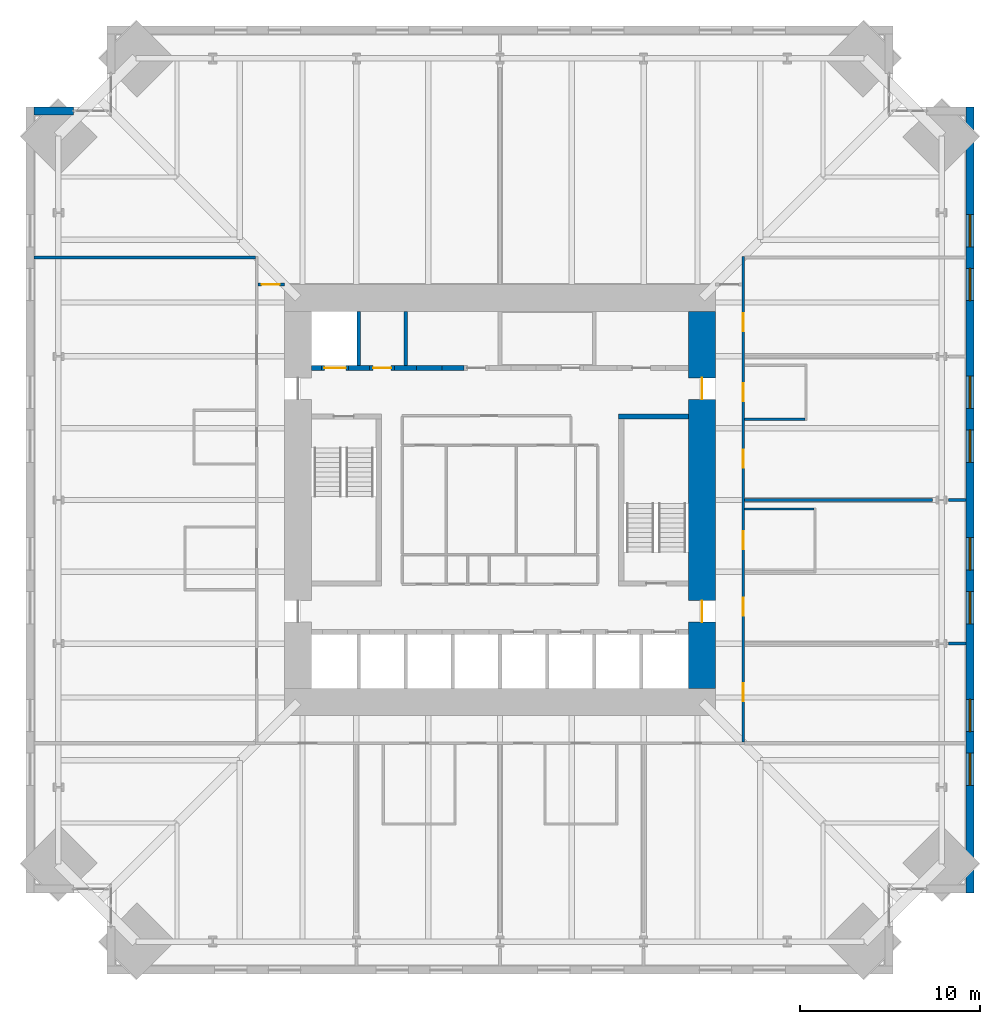
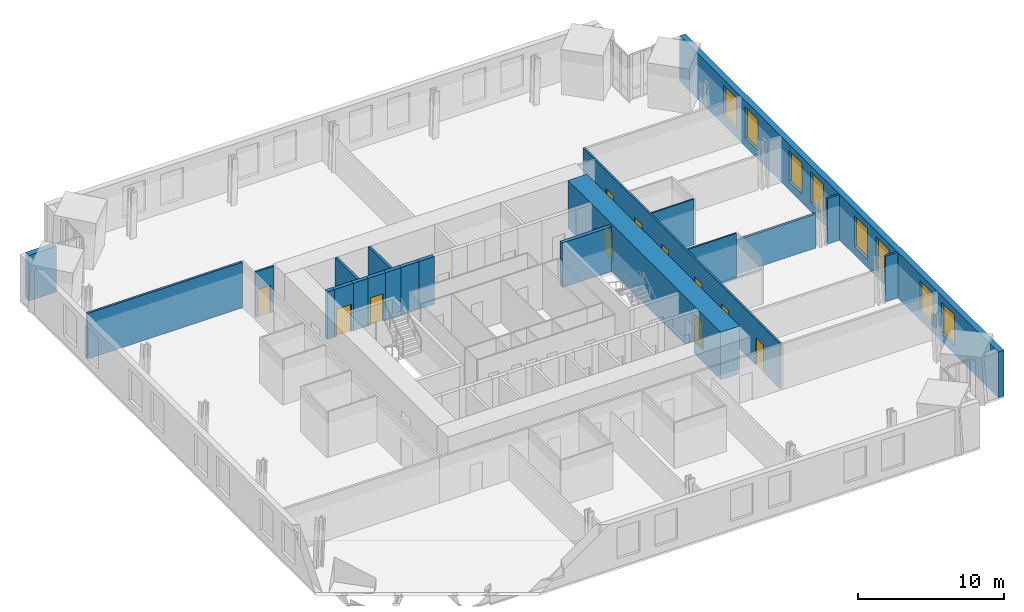
# One storey, part 16 of 18: 21 walls, 11 doors, 8 windows, 19 openings.
"""IFC4 building model written with IfcOpenShell, lengths in metres."""

from ifc_helpers import new_model, si_unit, direction, frame, frame_2d, origin, place, context, subcontext, project, spatial, rectangle, extrude, material, layer, layer_set, type_object, element, fill, save


model = new_model("IFC4")

# Units and contexts
model_context = context("Model", 3, precision=1e-05, world=origin(), true_north=direction((0.0, 1.0)))
body_context = subcontext(model_context, "Body", "Model", "MODEL_VIEW")
ifc_project = project(units=[si_unit("LENGTHUNIT", "METRE"), si_unit("AREAUNIT", "SQUARE_METRE"), si_unit("VOLUMEUNIT", "CUBIC_METRE"), si_unit("PLANEANGLEUNIT", "RADIAN"), si_unit("MASSUNIT", "GRAM", prefix="KILO")], contexts=[model_context])

# Site, building, storey
site_placement = place(None, origin())
site = spatial("IfcSite", under=ifc_project, at=site_placement, CompositionType="ELEMENT")
building_placement = place(site_placement, origin())
building = spatial("IfcBuilding", under=site, at=building_placement, Name="Peilmerk Tower", CompositionType="ELEMENT")
storey_placement = place(building_placement, frame((0.0, 0.0, 155.800048828125)))
storey = spatial("IfcBuildingStorey", under=building, at=storey_placement, Name="L32", CompositionType="ELEMENT", Elevation=155.800048828125)

# Wall, openings, windows
ifc_material_1 = material(Name="Precast concrete C45/55, board-marked finish", Category="concrete")
ifc_layer_1 = layer(ifc_material_1, 0.449951171875)
ifc_layer_set_1 = layer_set([ifc_layer_1], Name="Precast concrete C45/55, board-marked finish")
wall_type_1 = type_object("IfcWallType", Name="EW1 450 precast concrete facade wall, board-marked", PredefinedType="SOLIDWALL", material=ifc_layer_set_1)
wall_1_placement = place(storey_placement, frame((26.175048828125, -21.89990234375, 0.0), z_axis=(0.0, 0.0, 1.0), x_axis=(0.0, 1.0, 0.0)))
wall_1 = element("IfcWall", 1, at=wall_1_placement, inside=storey, type_object=wall_type_1, Name="Facade wall E L32", PredefinedType="SOLIDWALL", context=body_context, shape_type="SweptSolid", body=[
    extrude(rectangle(XDim=43.7998046875, YDim=0.449951171875, at=frame_2d((21.89990234375, 0.0))), origin(), (0.0, 0.0, 1.0), 3.829833984375),
])
opening_1_placement = place(wall_1_placement, frame((6.0, 0.0, 0.699951171875)))
opening_1 = element("IfcOpeningElement", 2, at=opening_1_placement, cuts=wall_1, Name="Opening W1", PredefinedType="OPENING", context=body_context, shape_type="SweptSolid", body=[
    extrude(rectangle(XDim=1.800048828125, YDim=2.60009765625, at=frame_2d((0.89990234375, 1.300048828125))), frame((0.0, 0.23486328125, 0.0), z_axis=(0.0, -1.0, 0.0), x_axis=(1.0, 0.0, 0.0)), (0.0, 0.0, 1.0), 0.469970703125),
])
opening_2_placement = place(wall_1_placement, frame((9.0, 0.0, 0.699951171875)))
opening_2 = element("IfcOpeningElement", 3, at=opening_2_placement, cuts=wall_1, Name="Opening W1", PredefinedType="OPENING", context=body_context, shape_type="SweptSolid", body=[
    extrude(rectangle(XDim=1.800048828125, YDim=2.60009765625, at=frame_2d((0.89990234375, 1.300048828125))), frame((0.0, 0.23486328125, 0.0), z_axis=(0.0, -1.0, 0.0), x_axis=(1.0, 0.0, 0.0)), (0.0, 0.0, 1.0), 0.469970703125),
])
opening_3_placement = place(wall_1_placement, frame((15.0, 0.0, 0.699951171875)))
opening_3 = element("IfcOpeningElement", 4, at=opening_3_placement, cuts=wall_1, Name="Opening W1", PredefinedType="OPENING", context=body_context, shape_type="SweptSolid", body=[
    extrude(rectangle(XDim=1.800048828125, YDim=2.60009765625, at=frame_2d((0.89990234375, 1.300048828125))), frame((0.0, 0.23486328125, 0.0), z_axis=(0.0, -1.0, 0.0), x_axis=(1.0, 0.0, 0.0)), (0.0, 0.0, 1.0), 0.469970703125),
])
opening_4_placement = place(wall_1_placement, frame((18.0, 0.0, 0.699951171875)))
opening_4 = element("IfcOpeningElement", 5, at=opening_4_placement, cuts=wall_1, Name="Opening W1", PredefinedType="OPENING", context=body_context, shape_type="SweptSolid", body=[
    extrude(rectangle(XDim=1.800048828125, YDim=2.60009765625, at=frame_2d((0.89990234375, 1.300048828125))), frame((0.0, 0.23486328125, 0.0), z_axis=(0.0, -1.0, 0.0), x_axis=(1.0, 0.0, 0.0)), (0.0, 0.0, 1.0), 0.469970703125),
])
opening_5_placement = place(wall_1_placement, frame((24.0, 0.0, 0.699951171875)))
opening_5 = element("IfcOpeningElement", 6, at=opening_5_placement, cuts=wall_1, Name="Opening W1", PredefinedType="OPENING", context=body_context, shape_type="SweptSolid", body=[
    extrude(rectangle(XDim=1.800048828125, YDim=2.60009765625, at=frame_2d((0.89990234375, 1.300048828125))), frame((0.0, 0.23486328125, 0.0), z_axis=(0.0, -1.0, 0.0), x_axis=(1.0, 0.0, 0.0)), (0.0, 0.0, 1.0), 0.469970703125),
])
opening_6_placement = place(wall_1_placement, frame((27.0, 0.0, 0.699951171875)))
opening_6 = element("IfcOpeningElement", 7, at=opening_6_placement, cuts=wall_1, Name="Opening W1", PredefinedType="OPENING", context=body_context, shape_type="SweptSolid", body=[
    extrude(rectangle(XDim=1.800048828125, YDim=2.60009765625, at=frame_2d((0.89990234375, 1.300048828125))), frame((0.0, 0.23486328125, 0.0), z_axis=(0.0, -1.0, 0.0), x_axis=(1.0, 0.0, 0.0)), (0.0, 0.0, 1.0), 0.469970703125),
])
opening_7_placement = place(wall_1_placement, frame((33.0, 0.0, 0.699951171875)))
opening_7 = element("IfcOpeningElement", 8, at=opening_7_placement, cuts=wall_1, Name="Opening W1", PredefinedType="OPENING", context=body_context, shape_type="SweptSolid", body=[
    extrude(rectangle(XDim=1.800048828125, YDim=2.60009765625, at=frame_2d((0.89990234375, 1.300048828125))), frame((0.0, 0.23486328125, 0.0), z_axis=(0.0, -1.0, 0.0), x_axis=(1.0, 0.0, 0.0)), (0.0, 0.0, 1.0), 0.469970703125),
])
opening_8_placement = place(wall_1_placement, frame((36.0, 0.0, 0.699951171875)))
opening_8 = element("IfcOpeningElement", 9, at=opening_8_placement, cuts=wall_1, Name="Opening W1", PredefinedType="OPENING", context=body_context, shape_type="SweptSolid", body=[
    extrude(rectangle(XDim=1.800048828125, YDim=2.60009765625, at=frame_2d((0.89990234375, 1.300048828125))), frame((0.0, 0.23486328125, 0.0), z_axis=(0.0, -1.0, 0.0), x_axis=(1.0, 0.0, 0.0)), (0.0, 0.0, 1.0), 0.469970703125),
])
ifc_material_2 = material(Name="Aluminium frame, clear double glazing", Category="aluminium")
window_type = type_object("IfcWindowType", Name="W1 1800x2600 office window", PartitioningType="SINGLE_PANEL", PredefinedType="WINDOW", material=ifc_material_2)
window_1_placement = place(opening_1_placement, origin())
window_1 = element("IfcWindow", 10, at=window_1_placement, inside=storey, type_object=window_type, Name="Window W1 L32", OverallHeight=2.60009765625, OverallWidth=1.800048828125, PartitioningType="SINGLE_PANEL", PredefinedType="WINDOW", context=body_context, shape_type="SweptSolid", body=[
    extrude(rectangle(XDim=1.800048828125, YDim=2.60009765625, at=frame_2d((0.89990234375, 1.300048828125))), frame((0.0, 0.030029296875, 0.0), z_axis=(0.0, -1.0, 0.0), x_axis=(1.0, 0.0, 0.0)), (0.0, 0.0, 1.0), 0.06005859375),
])
fill(opening_1, window_1)
window_2_placement = place(opening_2_placement, origin())
window_2 = element("IfcWindow", 11, at=window_2_placement, inside=storey, type_object=window_type, Name="Window W1 L32", OverallHeight=2.60009765625, OverallWidth=1.800048828125, PartitioningType="SINGLE_PANEL", PredefinedType="WINDOW", context=body_context, shape_type="SweptSolid", body=[
    extrude(rectangle(XDim=1.800048828125, YDim=2.60009765625, at=frame_2d((0.89990234375, 1.300048828125))), frame((0.0, 0.030029296875, 0.0), z_axis=(0.0, -1.0, 0.0), x_axis=(1.0, 0.0, 0.0)), (0.0, 0.0, 1.0), 0.06005859375),
])
fill(opening_2, window_2)
window_3_placement = place(opening_3_placement, origin())
window_3 = element("IfcWindow", 12, at=window_3_placement, inside=storey, type_object=window_type, Name="Window W1 L32", OverallHeight=2.60009765625, OverallWidth=1.800048828125, PartitioningType="SINGLE_PANEL", PredefinedType="WINDOW", context=body_context, shape_type="SweptSolid", body=[
    extrude(rectangle(XDim=1.800048828125, YDim=2.60009765625, at=frame_2d((0.89990234375, 1.300048828125))), frame((0.0, 0.030029296875, 0.0), z_axis=(0.0, -1.0, 0.0), x_axis=(1.0, 0.0, 0.0)), (0.0, 0.0, 1.0), 0.06005859375),
])
fill(opening_3, window_3)
window_4_placement = place(opening_4_placement, origin())
window_4 = element("IfcWindow", 13, at=window_4_placement, inside=storey, type_object=window_type, Name="Window W1 L32", OverallHeight=2.60009765625, OverallWidth=1.800048828125, PartitioningType="SINGLE_PANEL", PredefinedType="WINDOW", context=body_context, shape_type="SweptSolid", body=[
    extrude(rectangle(XDim=1.800048828125, YDim=2.60009765625, at=frame_2d((0.89990234375, 1.300048828125))), frame((0.0, 0.030029296875, 0.0), z_axis=(0.0, -1.0, 0.0), x_axis=(1.0, 0.0, 0.0)), (0.0, 0.0, 1.0), 0.06005859375),
])
fill(opening_4, window_4)
window_5_placement = place(opening_5_placement, origin())
window_5 = element("IfcWindow", 14, at=window_5_placement, inside=storey, type_object=window_type, Name="Window W1 L32", OverallHeight=2.60009765625, OverallWidth=1.800048828125, PartitioningType="SINGLE_PANEL", PredefinedType="WINDOW", context=body_context, shape_type="SweptSolid", body=[
    extrude(rectangle(XDim=1.800048828125, YDim=2.60009765625, at=frame_2d((0.89990234375, 1.300048828125))), frame((0.0, 0.030029296875, 0.0), z_axis=(0.0, -1.0, 0.0), x_axis=(1.0, 0.0, 0.0)), (0.0, 0.0, 1.0), 0.06005859375),
])
fill(opening_5, window_5)
window_6_placement = place(opening_6_placement, origin())
window_6 = element("IfcWindow", 15, at=window_6_placement, inside=storey, type_object=window_type, Name="Window W1 L32", OverallHeight=2.60009765625, OverallWidth=1.800048828125, PartitioningType="SINGLE_PANEL", PredefinedType="WINDOW", context=body_context, shape_type="SweptSolid", body=[
    extrude(rectangle(XDim=1.800048828125, YDim=2.60009765625, at=frame_2d((0.89990234375, 1.300048828125))), frame((0.0, 0.030029296875, 0.0), z_axis=(0.0, -1.0, 0.0), x_axis=(1.0, 0.0, 0.0)), (0.0, 0.0, 1.0), 0.06005859375),
])
fill(opening_6, window_6)
window_7_placement = place(opening_7_placement, origin())
window_7 = element("IfcWindow", 16, at=window_7_placement, inside=storey, type_object=window_type, Name="Window W1 L32", OverallHeight=2.60009765625, OverallWidth=1.800048828125, PartitioningType="SINGLE_PANEL", PredefinedType="WINDOW", context=body_context, shape_type="SweptSolid", body=[
    extrude(rectangle(XDim=1.800048828125, YDim=2.60009765625, at=frame_2d((0.89990234375, 1.300048828125))), frame((0.0, 0.030029296875, 0.0), z_axis=(0.0, -1.0, 0.0), x_axis=(1.0, 0.0, 0.0)), (0.0, 0.0, 1.0), 0.06005859375),
])
fill(opening_7, window_7)
window_8_placement = place(opening_8_placement, origin())
window_8 = element("IfcWindow", 17, at=window_8_placement, inside=storey, type_object=window_type, Name="Window W1 L32", OverallHeight=2.60009765625, OverallWidth=1.800048828125, PartitioningType="SINGLE_PANEL", PredefinedType="WINDOW", context=body_context, shape_type="SweptSolid", body=[
    extrude(rectangle(XDim=1.800048828125, YDim=2.60009765625, at=frame_2d((0.89990234375, 1.300048828125))), frame((0.0, 0.030029296875, 0.0), z_axis=(0.0, -1.0, 0.0), x_axis=(1.0, 0.0, 0.0)), (0.0, 0.0, 1.0), 0.06005859375),
])
fill(opening_8, window_8)

# Wall
wall_2_placement = place(storey_placement, frame((-23.753662109375, 21.675048828125, 0.0), z_axis=(0.0, 0.0, 1.0), x_axis=(-1.0, 0.0, 0.0)))
element("IfcWall", 18, at=wall_2_placement, inside=storey, type_object=wall_type_1, Name="Facade wall NWB L32", PredefinedType="SOLIDWALL", context=body_context, shape_type="SweptSolid", body=[
    extrude(rectangle(XDim=2.1962890625, YDim=0.449951171875, at=frame_2d((1.09814453125, 0.0))), origin(), (0.0, 0.0, 1.0), 3.829833984375),
])

# Wall, openings, doors
ifc_material_3 = material(Name="Calcium silicate block", Category="masonry")
ifc_layer_2 = layer(ifc_material_3, 0.14990234375)
ifc_layer_set_2 = layer_set([ifc_layer_2], Name="Calcium silicate block")
wall_type_2 = type_object("IfcWallType", Name="IW1 150 corridor partition, EI 60", PredefinedType="PARTITIONING", material=ifc_layer_set_2)
wall_3_placement = place(storey_placement, frame((13.550048828125, -13.47509765625, 0.0), z_axis=(0.0, 0.0, 1.0), x_axis=(0.0, 1.0, 0.0)))
wall_3 = element("IfcWall", 19, at=wall_3_placement, inside=storey, type_object=wall_type_2, Name="Corridor wall E L32", PredefinedType="PARTITIONING", context=body_context, shape_type="SweptSolid", body=[
    extrude(rectangle(XDim=27.050048828125, YDim=0.14990234375, at=frame_2d((13.52490234375, 0.0))), origin(), (0.0, 0.0, 1.0), 3.829833984375),
])
opening_9_placement = place(wall_3_placement, frame((2.27490234375, 0.0, 0.0)))
opening_9 = element("IfcOpeningElement", 20, at=opening_9_placement, cuts=wall_3, Name="Opening D1", PredefinedType="OPENING", context=body_context, shape_type="SweptSolid", body=[
    extrude(rectangle(XDim=1.0, YDim=2.300048828125, at=frame_2d((0.5, 1.14990234375))), frame((0.0, 0.0849609375, 0.0), z_axis=(0.0, -1.0, 0.0), x_axis=(1.0, 0.0, 0.0)), (0.0, 0.0, 1.0), 0.169921875),
])
opening_10_placement = place(wall_3_placement, frame((7.02490234375, 0.0, 0.0)))
opening_10 = element("IfcOpeningElement", 21, at=opening_10_placement, cuts=wall_3, Name="Opening D1", PredefinedType="OPENING", context=body_context, shape_type="SweptSolid", body=[
    extrude(rectangle(XDim=1.0, YDim=2.300048828125, at=frame_2d((0.5, 1.14990234375))), frame((0.0, 0.0849609375, 0.0), z_axis=(0.0, -1.0, 0.0), x_axis=(1.0, 0.0, 0.0)), (0.0, 0.0, 1.0), 0.169921875),
])
opening_11_placement = place(wall_3_placement, frame((15.27490234375, 0.0, 0.0)))
opening_11 = element("IfcOpeningElement", 22, at=opening_11_placement, cuts=wall_3, Name="Opening D1", PredefinedType="OPENING", context=body_context, shape_type="SweptSolid", body=[
    extrude(rectangle(XDim=1.0, YDim=2.300048828125, at=frame_2d((0.5, 1.14990234375))), frame((0.0, 0.0849609375, 0.0), z_axis=(0.0, -1.0, 0.0), x_axis=(1.0, 0.0, 0.0)), (0.0, 0.0, 1.0), 0.169921875),
])
opening_12_placement = place(wall_3_placement, frame((22.875, 0.0, 0.0)))
opening_12 = element("IfcOpeningElement", 23, at=opening_12_placement, cuts=wall_3, Name="Opening D1", PredefinedType="OPENING", context=body_context, shape_type="SweptSolid", body=[
    extrude(rectangle(XDim=1.0, YDim=2.300048828125, at=frame_2d((0.5, 1.14990234375))), frame((0.0, 0.0849609375, 0.0), z_axis=(0.0, -1.0, 0.0), x_axis=(1.0, 0.0, 0.0)), (0.0, 0.0, 1.0), 0.169921875),
])
opening_13_placement = place(wall_3_placement, frame((18.97509765625, 0.0, 0.0)))
opening_13 = element("IfcOpeningElement", 24, at=opening_13_placement, cuts=wall_3, Name="Opening D1", PredefinedType="OPENING", context=body_context, shape_type="SweptSolid", body=[
    extrude(rectangle(XDim=1.0, YDim=2.300048828125, at=frame_2d((0.5, 1.14990234375))), frame((0.0, 0.0849609375, 0.0), z_axis=(0.0, -1.0, 0.0), x_axis=(1.0, 0.0, 0.0)), (0.0, 0.0, 1.0), 0.169921875),
])
opening_14_placement = place(wall_3_placement, frame((10.72509765625, 0.0, 0.0)))
opening_14 = element("IfcOpeningElement", 25, at=opening_14_placement, cuts=wall_3, Name="Opening D1", PredefinedType="OPENING", context=body_context, shape_type="SweptSolid", body=[
    extrude(rectangle(XDim=1.0, YDim=2.300048828125, at=frame_2d((0.5, 1.14990234375))), frame((0.0, 0.0849609375, 0.0), z_axis=(0.0, -1.0, 0.0), x_axis=(1.0, 0.0, 0.0)), (0.0, 0.0, 1.0), 0.169921875),
])
ifc_material_4 = material(Name="Timber door in steel frame", Category="steel")
door_type_1 = type_object("IfcDoorType", Name="D1 1000x2300 room door, EI2 30", OperationType="SINGLE_SWING_LEFT", PredefinedType="DOOR", material=ifc_material_4)
door_1_placement = place(opening_9_placement, frame((1.0, 0.0, 0.0), z_axis=(0.0, 0.0, 1.0), x_axis=(-1.0, 0.0, 0.0)))
door_1 = element("IfcDoor", 26, at=door_1_placement, inside=storey, type_object=door_type_1, Name="Door Quiet room L32", OperationType="SINGLE_SWING_LEFT", OverallHeight=2.300048828125, OverallWidth=1.0, PredefinedType="DOOR", context=body_context, shape_type="SweptSolid", body=[
    extrude(rectangle(XDim=1.0, YDim=2.300048828125, at=frame_2d((0.5, 1.14990234375))), frame((0.0, 0.02490234375, 0.0), z_axis=(0.0, -1.0, 0.0), x_axis=(1.0, 0.0, 0.0)), (0.0, 0.0, 1.0), 0.050048828125),
])
fill(opening_9, door_1)
door_2_placement = place(opening_10_placement, frame((1.0, 0.0, 0.0), z_axis=(0.0, 0.0, 1.0), x_axis=(-1.0, 0.0, 0.0)))
door_2 = element("IfcDoor", 27, at=door_2_placement, inside=storey, type_object=door_type_1, Name="Door Office L32", OperationType="SINGLE_SWING_LEFT", OverallHeight=2.300048828125, OverallWidth=1.0, PredefinedType="DOOR", context=body_context, shape_type="SweptSolid", body=[
    extrude(rectangle(XDim=1.0, YDim=2.300048828125, at=frame_2d((0.5, 1.14990234375))), frame((0.0, 0.02490234375, 0.0), z_axis=(0.0, -1.0, 0.0), x_axis=(1.0, 0.0, 0.0)), (0.0, 0.0, 1.0), 0.050048828125),
])
fill(opening_10, door_2)
door_3_placement = place(opening_11_placement, frame((1.0, 0.0, 0.0), z_axis=(0.0, 0.0, 1.0), x_axis=(-1.0, 0.0, 0.0)))
door_3 = element("IfcDoor", 28, at=door_3_placement, inside=storey, type_object=door_type_1, Name="Door Office L32", OperationType="SINGLE_SWING_LEFT", OverallHeight=2.300048828125, OverallWidth=1.0, PredefinedType="DOOR", context=body_context, shape_type="SweptSolid", body=[
    extrude(rectangle(XDim=1.0, YDim=2.300048828125, at=frame_2d((0.5, 1.14990234375))), frame((0.0, 0.02490234375, 0.0), z_axis=(0.0, -1.0, 0.0), x_axis=(1.0, 0.0, 0.0)), (0.0, 0.0, 1.0), 0.050048828125),
])
fill(opening_11, door_3)
door_4_placement = place(opening_12_placement, frame((1.0, 0.0, 0.0), z_axis=(0.0, 0.0, 1.0), x_axis=(-1.0, 0.0, 0.0)))
door_4 = element("IfcDoor", 29, at=door_4_placement, inside=storey, type_object=door_type_1, Name="Door Wellness room L32", OperationType="SINGLE_SWING_LEFT", OverallHeight=2.300048828125, OverallWidth=1.0, PredefinedType="DOOR", context=body_context, shape_type="SweptSolid", body=[
    extrude(rectangle(XDim=1.0, YDim=2.300048828125, at=frame_2d((0.5, 1.14990234375))), frame((0.0, 0.02490234375, 0.0), z_axis=(0.0, -1.0, 0.0), x_axis=(1.0, 0.0, 0.0)), (0.0, 0.0, 1.0), 0.050048828125),
])
fill(opening_12, door_4)
door_5_placement = place(opening_13_placement, frame((1.0, 0.0, 0.0), z_axis=(0.0, 0.0, 1.0), x_axis=(-1.0, 0.0, 0.0)))
door_5 = element("IfcDoor", 30, at=door_5_placement, inside=storey, type_object=door_type_1, Name="Door Focus room L32", OperationType="SINGLE_SWING_LEFT", OverallHeight=2.300048828125, OverallWidth=1.0, PredefinedType="DOOR", context=body_context, shape_type="SweptSolid", body=[
    extrude(rectangle(XDim=1.0, YDim=2.300048828125, at=frame_2d((0.5, 1.14990234375))), frame((0.0, 0.02490234375, 0.0), z_axis=(0.0, -1.0, 0.0), x_axis=(1.0, 0.0, 0.0)), (0.0, 0.0, 1.0), 0.050048828125),
])
fill(opening_13, door_5)
door_6_placement = place(opening_14_placement, frame((1.0, 0.0, 0.0), z_axis=(0.0, 0.0, 1.0), x_axis=(-1.0, 0.0, 0.0)))
door_6 = element("IfcDoor", 31, at=door_6_placement, inside=storey, type_object=door_type_1, Name="Door Meeting room L32", OperationType="SINGLE_SWING_LEFT", OverallHeight=2.300048828125, OverallWidth=1.0, PredefinedType="DOOR", context=body_context, shape_type="SweptSolid", body=[
    extrude(rectangle(XDim=1.0, YDim=2.300048828125, at=frame_2d((0.5, 1.14990234375))), frame((0.0, 0.02490234375, 0.0), z_axis=(0.0, -1.0, 0.0), x_axis=(1.0, 0.0, 0.0)), (0.0, 0.0, 1.0), 0.050048828125),
])
fill(opening_14, door_6)

# Wall, opening, door
wall_4_placement = place(storey_placement, frame((-13.47509765625, 12.0, 0.0), z_axis=(0.0, 0.0, 1.0), x_axis=(1.0, 0.0, 0.0)))
wall_4 = element("IfcWall", 32, at=wall_4_placement, inside=storey, type_object=wall_type_2, Name="Corridor wall NW L32", PredefinedType="PARTITIONING", context=body_context, shape_type="SweptSolid", body=[
    extrude(rectangle(XDim=1.47509765625, YDim=0.14990234375, at=frame_2d((0.737548828125, 0.0))), origin(), (0.0, 0.0, 1.0), 3.829833984375),
])
opening_15_placement = place(wall_4_placement, frame((0.199951171875, 0.0, 0.0)))
opening_15 = element("IfcOpeningElement", 33, at=opening_15_placement, cuts=wall_4, Name="Opening D1", PredefinedType="OPENING", context=body_context, shape_type="SweptSolid", body=[
    extrude(rectangle(XDim=1.0, YDim=2.300048828125, at=frame_2d((0.5, 1.14990234375))), frame((0.0, 0.0849609375, 0.0), z_axis=(0.0, -1.0, 0.0), x_axis=(1.0, 0.0, 0.0)), (0.0, 0.0, 1.0), 0.169921875),
])
door_7_placement = place(opening_15_placement, origin())
door_7 = element("IfcDoor", 34, at=door_7_placement, inside=storey, type_object=door_type_1, Name="Door Open workspace L32", OperationType="SINGLE_SWING_LEFT", OverallHeight=2.300048828125, OverallWidth=1.0, PredefinedType="DOOR", context=body_context, shape_type="SweptSolid", body=[
    extrude(rectangle(XDim=1.0, YDim=2.300048828125, at=frame_2d((0.5, 1.14990234375))), frame((0.0, 0.02490234375, 0.0), z_axis=(0.0, -1.0, 0.0), x_axis=(1.0, 0.0, 0.0)), (0.0, 0.0, 1.0), 0.050048828125),
])
fill(opening_15, door_7)

# Walls
ifc_material_5 = material(Name="Concrete C35/45", Category="concrete")
ifc_layer_3 = layer(ifc_material_5, 0.300048828125)
ifc_layer_set_3 = layer_set([ifc_layer_3], Name="Concrete C35/45")
wall_type_3 = type_object("IfcWallType", Name="IW3 300 concrete stair enclosure wall, EI 120", PredefinedType="SOLIDWALL", material=ifc_layer_set_3)
wall_5_placement = place(storey_placement, frame((6.60009765625, 4.64990234375, 0.0), z_axis=(0.0, 0.0, 1.0), x_axis=(1.0, 0.0, 0.0)))
element("IfcWall", 35, at=wall_5_placement, inside=storey, type_object=wall_type_3, Name="Stair 2 enclosure L32", PredefinedType="SOLIDWALL", context=body_context, shape_type="SweptSolid", body=[
    extrude(rectangle(XDim=3.89990234375, YDim=0.300048828125, at=frame_2d((1.949951171875, 0.0))), origin(), (0.0, 0.0, 1.0), 3.75),
])
ifc_material_6 = material(Name="Plasterboard on steel studs, double boarded with mineral wool", Category="steel")
ifc_layer_4 = layer(ifc_material_6, 0.125)
ifc_layer_set_4 = layer_set([ifc_layer_4], Name="Plasterboard on steel studs, double boarded with mineral wool")
wall_type_4 = type_object("IfcWallType", Name="IW7 125 acoustic partition, EI 30", PredefinedType="PARTITIONING", material=ifc_layer_set_4)
wall_6_placement = place(storey_placement, frame((13.625, 4.5, 0.0), z_axis=(0.0, 0.0, 1.0), x_axis=(1.0, 0.0, 0.0)))
element("IfcWall", 36, at=wall_6_placement, inside=storey, type_object=wall_type_4, Name="Acoustic partition Focus room L32", PredefinedType="PARTITIONING", context=body_context, shape_type="SweptSolid", body=[
    extrude(rectangle(XDim=3.362548828125, YDim=0.125, at=frame_2d((1.68115234375, 0.0))), origin(), (0.0, 0.0, 1.0), 3.829833984375),
])
wall_7_placement = place(storey_placement, frame((13.625, -0.5, 0.0), z_axis=(0.0, 0.0, 1.0), x_axis=(1.0, 0.0, 0.0)))
element("IfcWall", 37, at=wall_7_placement, inside=storey, type_object=wall_type_4, Name="Acoustic partition Meeting room L32", PredefinedType="PARTITIONING", context=body_context, shape_type="SweptSolid", body=[
    extrude(rectangle(XDim=3.862548828125, YDim=0.125, at=frame_2d((1.93115234375, 0.0))), origin(), (0.0, 0.0, 1.0), 3.829833984375),
])
ifc_layer_5 = layer(ifc_material_3, 0.175048828125)
ifc_layer_set_5 = layer_set([ifc_layer_5], Name="Calcium silicate block")
wall_type_5 = type_object("IfcWallType", Name="IW8 175 tenant separating wall, EI 60", PredefinedType="PARTITIONING", material=ifc_layer_set_5)
wall_8_placement = place(storey_placement, frame((-25.949951171875, 13.5, 0.0), z_axis=(0.0, 0.0, 1.0), x_axis=(1.0, 0.0, 0.0)))
element("IfcWall", 38, at=wall_8_placement, inside=storey, type_object=wall_type_5, Name="Tenant separating wall NW L32", PredefinedType="PARTITIONING", context=body_context, shape_type="SweptSolid", body=[
    extrude(rectangle(XDim=12.324951171875, YDim=0.175048828125, at=frame_2d((6.16259765625, 0.0))), origin(), (0.0, 0.0, 1.0), 3.829833984375),
])
wall_9_placement = place(storey_placement, frame((24.978515625, -8.0, 0.0), z_axis=(0.0, 0.0, 1.0), x_axis=(1.0, 0.0, 0.0)))
element("IfcWall", 39, at=wall_9_placement, inside=storey, type_object=wall_type_5, Name="Tenant separating wall E1b L32", PredefinedType="PARTITIONING", context=body_context, shape_type="SweptSolid", body=[
    extrude(rectangle(XDim=0.971435546875, YDim=0.175048828125, at=frame_2d((0.48583984375, 0.0))), origin(), (0.0, 0.0, 1.0), 3.829833984375),
])
wall_10_placement = place(storey_placement, frame((13.625, 0.0, 0.0), z_axis=(0.0, 0.0, 1.0), x_axis=(1.0, 0.0, 0.0)))
element("IfcWall", 40, at=wall_10_placement, inside=storey, type_object=wall_type_5, Name="Tenant separating wall E2 L32", PredefinedType="PARTITIONING", context=body_context, shape_type="SweptSolid", body=[
    extrude(rectangle(XDim=10.46435546875, YDim=0.175048828125, at=frame_2d((5.232177734375, 0.0))), origin(), (0.0, 0.0, 1.0), 2.83984375),
])
wall_11_placement = place(storey_placement, frame((24.978515625, 0.0, 0.0), z_axis=(0.0, 0.0, 1.0), x_axis=(1.0, 0.0, 0.0)))
element("IfcWall", 41, at=wall_11_placement, inside=storey, type_object=wall_type_5, Name="Tenant separating wall E2b L32", PredefinedType="PARTITIONING", context=body_context, shape_type="SweptSolid", body=[
    extrude(rectangle(XDim=0.971435546875, YDim=0.175048828125, at=frame_2d((0.48583984375, 0.0))), origin(), (0.0, 0.0, 1.0), 3.829833984375),
])
ifc_layer_6 = layer(ifc_material_3, 0.199951171875)
ifc_layer_set_6 = layer_set([ifc_layer_6], Name="Calcium silicate block")
wall_type_6 = type_object("IfcWallType", Name="SH1 200 shaft dividing wall, EI 120", PredefinedType="PARTITIONING", material=ifc_layer_set_6)
for number, where, z_axis, x_axis, name in (
    (42, (-7.875, 7.5, 0.0), (0.0, 0.0, 1.0), (0.0, 1.0, 0.0), "Shaft wall N FL1 L32"),
    (43, (-5.25, 7.5, 0.0), (0.0, 0.0, 1.0), (0.0, 1.0, 0.0), "Shaft wall N A1 L32"),
):
    element("IfcWall", number, at=place(storey_placement, frame(where, z_axis=z_axis, x_axis=x_axis)), inside=storey, type_object=wall_type_6, Name=name, PredefinedType="PARTITIONING", context=body_context, shape_type="SweptSolid", body=[
        extrude(rectangle(XDim=3.0, YDim=0.199951171875, at=frame_2d((1.5, 0.0))), origin(), (0.0, 0.0, 1.0), 4.0),
    ])

# Wall, opening, door
ifc_layer_7 = layer(ifc_material_3, 0.300048828125)
ifc_layer_set_7 = layer_set([ifc_layer_7], Name="Calcium silicate block")
wall_type_7 = type_object("IfcWallType", Name="SH2 300 lift landing door panel, EI 120", PredefinedType="PARTITIONING", material=ifc_layer_set_7)
wall_12_placement = place(storey_placement, frame((-9.9375, 7.35009765625, 0.0), z_axis=(0.0, 0.0, 1.0), x_axis=(1.0, 0.0, 0.0)))
wall_12 = element("IfcWall", 44, at=wall_12_placement, inside=storey, type_object=wall_type_7, Name="Lift door panel N FL1 L32", PredefinedType="PARTITIONING", context=body_context, shape_type="SweptSolid", body=[
    extrude(rectangle(XDim=1.5, YDim=0.300048828125, at=frame_2d((0.75, 0.0))), origin(), (0.0, 0.0, 1.0), 4.0),
])
opening_16_placement = place(wall_12_placement, frame((0.14990234375, 0.0, 0.0)))
opening_16 = element("IfcOpeningElement", 45, at=opening_16_placement, cuts=wall_12, Name="Opening LD2", PredefinedType="OPENING", context=body_context, shape_type="SweptSolid", body=[
    extrude(rectangle(XDim=1.199951171875, YDim=2.300048828125, at=frame_2d((0.60009765625, 1.14990234375))), frame((0.0, 0.159912109375, 0.0), z_axis=(0.0, -1.0, 0.0), x_axis=(1.0, 0.0, 0.0)), (0.0, 0.0, 1.0), 0.320068359375),
])
ifc_material_7 = material(Name="Stainless steel landing door", Category="steel")
door_type_2 = type_object("IfcDoorType", Name="LD2 1200x2300 lift landing door, sliding, EI2 60", OperationType="SLIDING_TO_LEFT", PredefinedType="DOOR", material=ifc_material_7)
door_8_placement = place(opening_16_placement, frame((1.199951171875, 0.0, 0.0), z_axis=(0.0, 0.0, 1.0), x_axis=(-1.0, 0.0, 0.0)))
door_8 = element("IfcDoor", 46, at=door_8_placement, inside=storey, type_object=door_type_2, Name="Lift landing door FL1 L32", OperationType="SLIDING_TO_LEFT", OverallHeight=2.300048828125, OverallWidth=1.199951171875, PredefinedType="DOOR", context=body_context, shape_type="SweptSolid", body=[
    extrude(rectangle(XDim=1.199951171875, YDim=2.300048828125, at=frame_2d((0.60009765625, 1.14990234375))), frame((0.0, 0.02490234375, 0.0), z_axis=(0.0, -1.0, 0.0), x_axis=(1.0, 0.0, 0.0)), (0.0, 0.0, 1.0), 0.050048828125),
])
fill(opening_16, door_8)

wall_13_placement = place(storey_placement, frame((-7.262451171875, 7.35009765625, 0.0), z_axis=(0.0, 0.0, 1.0), x_axis=(1.0, 0.0, 0.0)))
wall_13 = element("IfcWall", 47, at=wall_13_placement, inside=storey, type_object=wall_type_7, Name="Lift door panel N A1 L32", PredefinedType="PARTITIONING", context=body_context, shape_type="SweptSolid", body=[
    extrude(rectangle(XDim=1.39990234375, YDim=0.300048828125, at=frame_2d((0.699951171875, 0.0))), origin(), (0.0, 0.0, 1.0), 4.0),
])
opening_17_placement = place(wall_13_placement, frame((0.199951171875, 0.0, 0.0)))
opening_17 = element("IfcOpeningElement", 48, at=opening_17_placement, cuts=wall_13, Name="Opening D10", PredefinedType="OPENING", context=body_context, shape_type="SweptSolid", body=[
    extrude(rectangle(XDim=1.0, YDim=2.300048828125, at=frame_2d((0.5, 1.14990234375))), frame((0.0, 0.159912109375, 0.0), z_axis=(0.0, -1.0, 0.0), x_axis=(1.0, 0.0, 0.0)), (0.0, 0.0, 1.0), 0.320068359375),
])
ifc_material_8 = material(Name="Steel door in steel frame", Category="steel")
door_type_3 = type_object("IfcDoorType", Name="D10 1000x2300 core room door, EI2 60", OperationType="SINGLE_SWING_RIGHT", PredefinedType="DOOR", material=ifc_material_8)
door_9_placement = place(opening_17_placement, origin())
door_9 = element("IfcDoor", 49, at=door_9_placement, inside=storey, type_object=door_type_3, Name="Door Water meter room L32", OperationType="SINGLE_SWING_RIGHT", OverallHeight=2.300048828125, OverallWidth=1.0, PredefinedType="DOOR", context=body_context, shape_type="SweptSolid", body=[
    extrude(rectangle(XDim=1.0, YDim=2.300048828125, at=frame_2d((0.5, 1.14990234375))), frame((0.0, 0.02490234375, 0.0), z_axis=(0.0, -1.0, 0.0), x_axis=(1.0, 0.0, 0.0)), (0.0, 0.0, 1.0), 0.050048828125),
])
fill(opening_17, door_9)

# Wall
wall_14_placement = place(storey_placement, frame((-4.637451171875, 7.35009765625, 0.0), z_axis=(0.0, 0.0, 1.0), x_axis=(1.0, 0.0, 0.0)))
element("IfcWall", 50, at=wall_14_placement, inside=storey, type_object=wall_type_7, Name="Lift door panel N A2 L32", PredefinedType="PARTITIONING", context=body_context, shape_type="SweptSolid", body=[
    extrude(rectangle(XDim=1.39990234375, YDim=0.300048828125, at=frame_2d((0.699951171875, 0.0))), origin(), (0.0, 0.0, 1.0), 4.0),
])

# Wall, openings, doors
ifc_material_9 = material(Name="Concrete C55/67", Category="concrete")
ifc_layer_8 = layer(ifc_material_9, 1.5)
ifc_layer_set_8 = layer_set([ifc_layer_8], Name="Concrete C55/67")
wall_type_8 = type_object("IfcWallType", Name="SW1 1500 core wall", PredefinedType="SHEAR", material=ifc_layer_set_8)
wall_15_placement = place(storey_placement, frame((11.25, 10.5, 0.0), z_axis=(0.0, 0.0, 1.0), x_axis=(0.0, -1.0, 0.0)))
wall_15 = element("IfcWall", 51, at=wall_15_placement, inside=storey, type_object=wall_type_8, Name="Core wall E L32", PredefinedType="SHEAR", context=body_context, shape_type="SweptSolid", body=[
    extrude(rectangle(XDim=21.0, YDim=1.5, at=frame_2d((10.5, 0.0))), origin(), (0.0, 0.0, 1.0), 4.0),
])
opening_18_placement = place(wall_15_placement, frame((3.699951171875, 0.0, 0.0)))
opening_18 = element("IfcOpeningElement", 52, at=opening_18_placement, cuts=wall_15, Name="Opening D3", PredefinedType="OPENING", context=body_context, shape_type="SweptSolid", body=[
    extrude(rectangle(XDim=1.199951171875, YDim=2.300048828125, at=frame_2d((0.60009765625, 1.14990234375))), frame((0.0, 0.760009765625, 0.0), z_axis=(0.0, -1.0, 0.0), x_axis=(1.0, 0.0, 0.0)), (0.0, 0.0, 1.0), 1.52001953125),
])
opening_19_placement = place(wall_15_placement, frame((16.10009765625, 0.0, 0.0)))
opening_19 = element("IfcOpeningElement", 53, at=opening_19_placement, cuts=wall_15, Name="Opening D3", PredefinedType="OPENING", context=body_context, shape_type="SweptSolid", body=[
    extrude(rectangle(XDim=1.199951171875, YDim=2.300048828125, at=frame_2d((0.60009765625, 1.14990234375))), frame((0.0, 0.760009765625, 0.0), z_axis=(0.0, -1.0, 0.0), x_axis=(1.0, 0.0, 0.0)), (0.0, 0.0, 1.0), 1.52001953125),
])
door_type_4 = type_object("IfcDoorType", Name="D3 1200x2300 core door, EI2 60", OperationType="SINGLE_SWING_LEFT", PredefinedType="DOOR", material=ifc_material_8)
door_10_placement = place(opening_18_placement, frame((1.199951171875, 0.0, 0.0), z_axis=(0.0, 0.0, 1.0), x_axis=(-1.0, 0.0, 0.0)))
door_10 = element("IfcDoor", 54, at=door_10_placement, inside=storey, type_object=door_type_4, Name="Core door L32", OperationType="SINGLE_SWING_LEFT", OverallHeight=2.300048828125, OverallWidth=1.199951171875, PredefinedType="DOOR", context=body_context, shape_type="SweptSolid", body=[
    extrude(rectangle(XDim=1.199951171875, YDim=2.300048828125, at=frame_2d((0.60009765625, 1.14990234375))), frame((0.0, 0.02490234375, 0.0), z_axis=(0.0, -1.0, 0.0), x_axis=(1.0, 0.0, 0.0)), (0.0, 0.0, 1.0), 0.050048828125),
])
fill(opening_18, door_10)
door_11_placement = place(opening_19_placement, frame((1.199951171875, 0.0, 0.0), z_axis=(0.0, 0.0, 1.0), x_axis=(-1.0, 0.0, 0.0)))
door_11 = element("IfcDoor", 55, at=door_11_placement, inside=storey, type_object=door_type_4, Name="Core door L32", OperationType="SINGLE_SWING_LEFT", OverallHeight=2.300048828125, OverallWidth=1.199951171875, PredefinedType="DOOR", context=body_context, shape_type="SweptSolid", body=[
    extrude(rectangle(XDim=1.199951171875, YDim=2.300048828125, at=frame_2d((0.60009765625, 1.14990234375))), frame((0.0, 0.02490234375, 0.0), z_axis=(0.0, -1.0, 0.0), x_axis=(1.0, 0.0, 0.0)), (0.0, 0.0, 1.0), 0.050048828125),
])
fill(opening_19, door_11)

# Walls
ifc_layer_9 = layer(ifc_material_9, 0.300048828125)
ifc_layer_set_9 = layer_set([ifc_layer_9], Name="Concrete C55/67")
wall_type_9 = type_object("IfcWallType", Name="SW2 300 lift bank pier", PredefinedType="SHEAR", material=ifc_layer_set_9)
wall_16_placement = place(storey_placement, frame((-10.5, 7.35009765625, 0.0), z_axis=(0.0, 0.0, 1.0), x_axis=(1.0, 0.0, 0.0)))
element("IfcWall", 56, at=wall_16_placement, inside=storey, type_object=wall_type_9, Name="Lift bank pier N L32", PredefinedType="SHEAR", context=body_context, shape_type="SweptSolid", body=[
    extrude(rectangle(XDim=0.5625, YDim=0.300048828125, at=frame_2d((0.28125, 0.0))), origin(), (0.0, 0.0, 1.0), 4.0),
])
wall_17_placement = place(storey_placement, frame((-8.4375, 7.35009765625, 0.0), z_axis=(0.0, 0.0, 1.0), x_axis=(1.0, 0.0, 0.0)))
element("IfcWall", 57, at=wall_17_placement, inside=storey, type_object=wall_type_9, Name="Lift bank pier N L32", PredefinedType="SHEAR", context=body_context, shape_type="SweptSolid", body=[
    extrude(rectangle(XDim=1.175048828125, YDim=0.300048828125, at=frame_2d((0.58740234375, 0.0))), origin(), (0.0, 0.0, 1.0), 4.0),
])
for number, where, z_axis, x_axis, name in (
    (58, (-5.862548828125, 7.35009765625, 0.0), (0.0, 0.0, 1.0), (1.0, 0.0, 0.0), "Lift bank pier N L32"),
    (59, (-3.237548828125, 7.35009765625, 0.0), (0.0, 0.0, 1.0), (1.0, 0.0, 0.0), "Lift bank pier N L32"),
):
    element("IfcWall", number, at=place(storey_placement, frame(where, z_axis=z_axis, x_axis=x_axis)), inside=storey, type_object=wall_type_9, Name=name, PredefinedType="SHEAR", context=body_context, shape_type="SweptSolid", body=[
        extrude(rectangle(XDim=1.22509765625, YDim=0.300048828125, at=frame_2d((0.612548828125, 0.0))), origin(), (0.0, 0.0, 1.0), 4.0),
    ])

save(model, "model.ifc")
